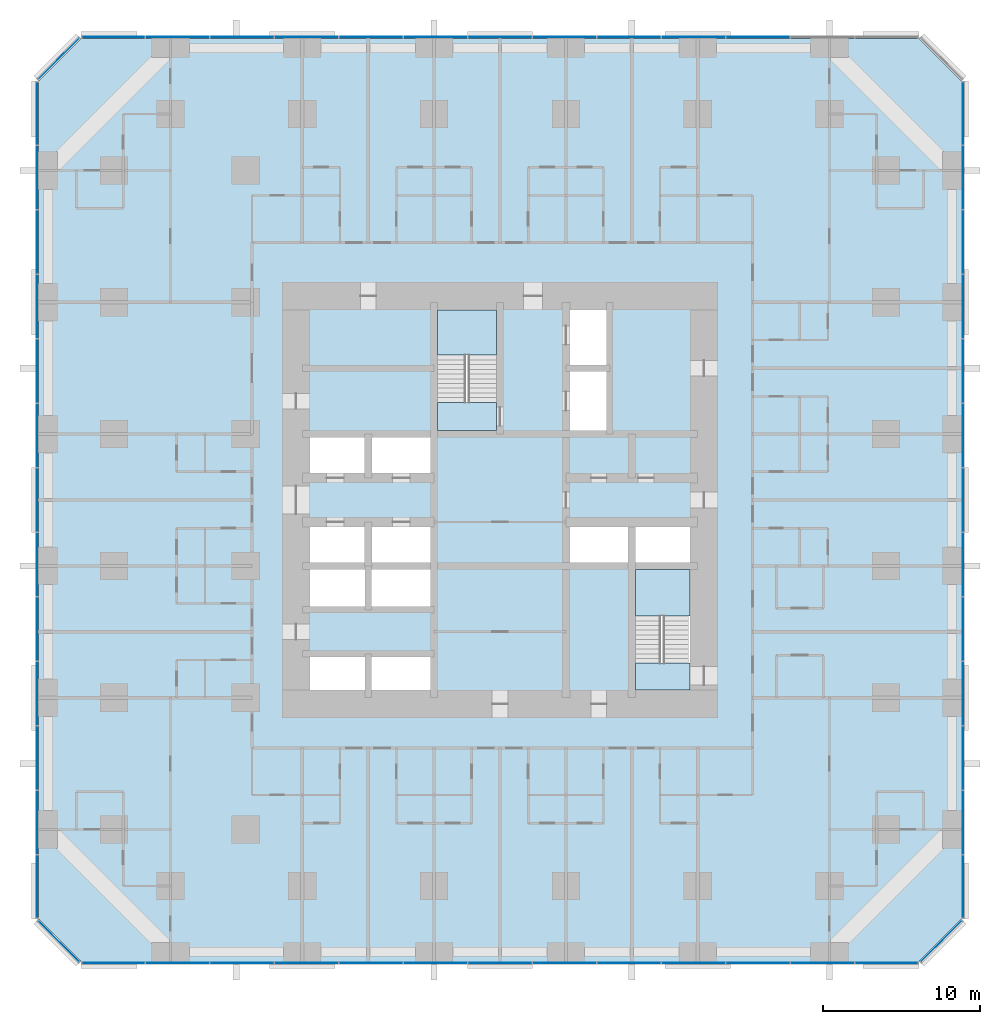
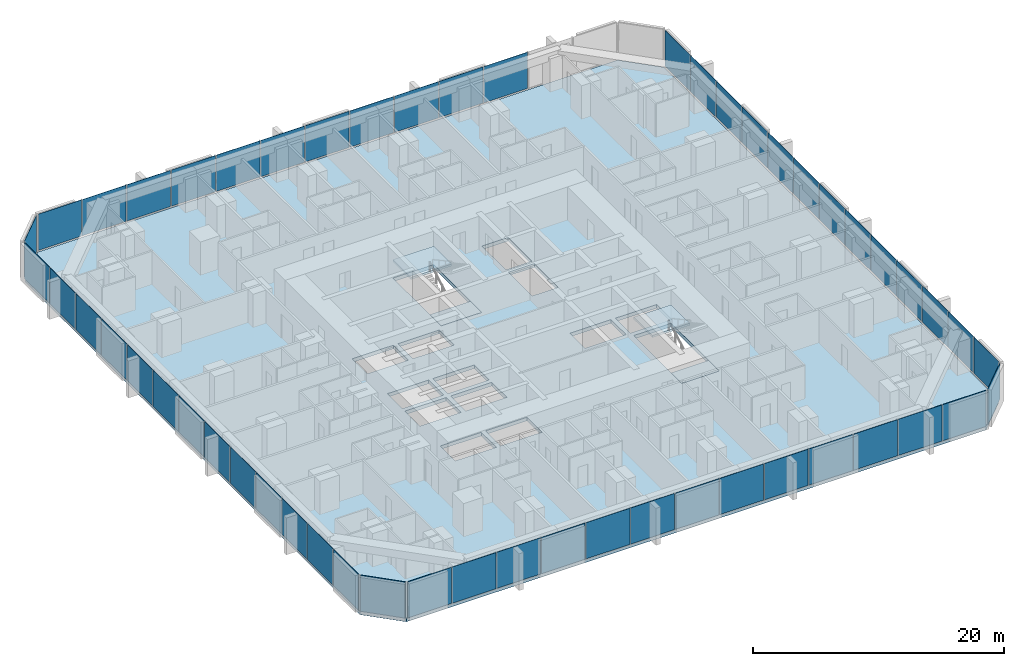
# One storey, part 9 of 18: 53 plates, 5 slabs, 9 elements without a shape of their own.
"""IFC4 building model written with IfcOpenShell, lengths in metres."""

from ifc_helpers import new_model, si_unit, direction, frame, origin, origin_2d, place, context, subcontext, project, spatial, polyline, rectangle, outline, extrude, material, layer, layer_set, type_object, element, aggregate, save


model = new_model("IFC4")

# Units and contexts
model_context = context("Model", 3, precision=1e-05, world=origin(), true_north=direction((0.0, 1.0)))
body_context = subcontext(model_context, "Body", "Model", "MODEL_VIEW")
ifc_project = project(units=[si_unit("LENGTHUNIT", "METRE"), si_unit("AREAUNIT", "SQUARE_METRE"), si_unit("VOLUMEUNIT", "CUBIC_METRE"), si_unit("PLANEANGLEUNIT", "RADIAN"), si_unit("MASSUNIT", "GRAM", prefix="KILO")], contexts=[model_context])

# Site, building, storey
site_placement = place(None, origin())
site = spatial("IfcSite", under=ifc_project, at=site_placement, CompositionType="ELEMENT")
building_placement = place(site_placement, origin())
building = spatial("IfcBuilding", under=site, at=building_placement, Name="Dunama Terrace Hotel", CompositionType="ELEMENT")
storey_placement = place(building_placement, frame((0.0, 0.0, 30.60009765625)))
storey = spatial("IfcBuildingStorey", under=building, at=storey_placement, Name="L06", CompositionType="ELEMENT", Elevation=30.60009765625)

# Curtain wall, plates
ifc_material_1 = material(Name="Aluminium curtain wall system", Category="aluminium")
curtain_wall_type = type_object("IfcCurtainWallType", Name="Unitised fritted glass wall CW-A", PredefinedType="NOTDEFINED", material=ifc_material_1)
curtain_wall_1_placement = place(storey_placement, origin())
curtain_wall_1 = element("IfcCurtainWall", 1, at=curtain_wall_1_placement, inside=storey, type_object=curtain_wall_type, Name="Unitised fritted glass wall CW-A L06", PredefinedType="NOTDEFINED")
ifc_material_2 = material(Name="Laminated glass", Category="glass")
ifc_layer_1 = layer(ifc_material_2, 0.030029296875)
ifc_layer_set_1 = layer_set([ifc_layer_1], Name="CWA clear glass panel")
plate_type_1 = type_object("IfcPlateType", Name="CWA clear glass panel", PredefinedType="CURTAIN_PANEL", material=ifc_layer_set_1)
plate_1_placement = place(storey_placement, frame((8.862060546875, -0.10009765625, 0.074951171875), z_axis=(0.0, 0.0, 1.0), x_axis=(1.0, 0.0, 0.0)))
plate_1 = element("IfcPlate", 2, at=plate_1_placement, type_object=plate_type_1, Name="CWA clear glass panel", PredefinedType="CURTAIN_PANEL", context=body_context, shape_type="SweptSolid", body=[
    extrude(rectangle(XDim=4.042724609375, YDim=0.030029296875, at=origin_2d()), origin(), (0.0, 0.0, 1.0), 3.52490234375),
])
plate_2_placement = place(storey_placement, frame((21.18505859375, -0.10009765625, 0.074951171875), z_axis=(0.0, 0.0, 1.0), x_axis=(1.0, 0.0, 0.0)))
plate_2 = element("IfcPlate", 3, at=plate_2_placement, type_object=plate_type_1, Name="CWA clear glass panel", PredefinedType="CURTAIN_PANEL", context=body_context, shape_type="SweptSolid", body=[
    extrude(rectangle(XDim=4.042724609375, YDim=0.030029296875, at=origin_2d()), origin(), (0.0, 0.0, 1.0), 3.52490234375),
])
plate_3_placement = place(storey_placement, frame((33.508056640625, -0.10009765625, 0.074951171875), z_axis=(0.0, 0.0, 1.0), x_axis=(1.0, 0.0, 0.0)))
plate_3 = element("IfcPlate", 4, at=plate_3_placement, type_object=plate_type_1, Name="CWA clear glass panel", PredefinedType="CURTAIN_PANEL", context=body_context, shape_type="SweptSolid", body=[
    extrude(rectangle(XDim=4.042724609375, YDim=0.030029296875, at=origin_2d()), origin(), (0.0, 0.0, 1.0), 3.52490234375),
])
plate_4_placement = place(storey_placement, frame((45.8310546875, -0.10009765625, 0.074951171875), z_axis=(0.0, 0.0, 1.0), x_axis=(1.0, 0.0, 0.0)))
plate_4 = element("IfcPlate", 5, at=plate_4_placement, type_object=plate_type_1, Name="CWA clear glass panel", PredefinedType="CURTAIN_PANEL", context=body_context, shape_type="SweptSolid", body=[
    extrude(rectangle(XDim=4.042724609375, YDim=0.030029296875, at=origin_2d()), origin(), (0.0, 0.0, 1.0), 3.52490234375),
])

# Curtain wall, plate
curtain_wall_2_placement = place(storey_placement, origin())
curtain_wall_2 = element("IfcCurtainWall", 6, at=curtain_wall_2_placement, inside=storey, type_object=curtain_wall_type, Name="Unitised fritted glass wall CW-A L06", PredefinedType="NOTDEFINED")
plate_5_placement = place(storey_placement, frame((57.52099609375, 1.279052734375, 0.074951171875), z_axis=(0.0, 0.0, 1.0), x_axis=(0.707106781187, 0.707106781187, 0.0)))
plate_5 = element("IfcPlate", 7, at=plate_5_placement, type_object=plate_type_1, Name="CWA clear glass panel", PredefinedType="CURTAIN_PANEL", context=body_context, shape_type="SweptSolid", body=[
    extrude(rectangle(XDim=3.6884765625, YDim=0.030029296875, at=origin_2d()), origin(), (0.0, 0.0, 1.0), 3.52490234375),
])
aggregate(curtain_wall_2, [plate_5])

# Curtain wall, plates
curtain_wall_3_placement = place(storey_placement, origin())
curtain_wall_3 = element("IfcCurtainWall", 8, at=curtain_wall_3_placement, inside=storey, type_object=curtain_wall_type, Name="Unitised fritted glass wall CW-A L06", PredefinedType="NOTDEFINED")
plate_6_placement = place(storey_placement, frame((58.89990234375, 12.968994140625, 0.074951171875), z_axis=(0.0, 0.0, 1.0), x_axis=(0.0, 1.0, 0.0)))
plate_6 = element("IfcPlate", 9, at=plate_6_placement, type_object=plate_type_1, Name="CWA clear glass panel", PredefinedType="CURTAIN_PANEL", context=body_context, shape_type="SweptSolid", body=[
    extrude(rectangle(XDim=4.042724609375, YDim=0.030029296875, at=origin_2d()), origin(), (0.0, 0.0, 1.0), 3.52490234375),
])
plate_7_placement = place(storey_placement, frame((58.89990234375, 25.2919921875, 0.074951171875), z_axis=(0.0, 0.0, 1.0), x_axis=(0.0, 1.0, 0.0)))
plate_7 = element("IfcPlate", 10, at=plate_7_placement, type_object=plate_type_1, Name="CWA clear glass panel", PredefinedType="CURTAIN_PANEL", context=body_context, shape_type="SweptSolid", body=[
    extrude(rectangle(XDim=4.042724609375, YDim=0.030029296875, at=origin_2d()), origin(), (0.0, 0.0, 1.0), 3.52490234375),
])
plate_8_placement = place(storey_placement, frame((58.89990234375, 37.614990234375, 0.074951171875), z_axis=(0.0, 0.0, 1.0), x_axis=(0.0, 1.0, 0.0)))
plate_8 = element("IfcPlate", 11, at=plate_8_placement, type_object=plate_type_1, Name="CWA clear glass panel", PredefinedType="CURTAIN_PANEL", context=body_context, shape_type="SweptSolid", body=[
    extrude(rectangle(XDim=4.042724609375, YDim=0.030029296875, at=origin_2d()), origin(), (0.0, 0.0, 1.0), 3.52490234375),
])
plate_9_placement = place(storey_placement, frame((58.89990234375, 49.93798828125, 0.074951171875), z_axis=(0.0, 0.0, 1.0), x_axis=(0.0, 1.0, 0.0)))
plate_9 = element("IfcPlate", 12, at=plate_9_placement, type_object=plate_type_1, Name="CWA clear glass panel", PredefinedType="CURTAIN_PANEL", context=body_context, shape_type="SweptSolid", body=[
    extrude(rectangle(XDim=4.042724609375, YDim=0.030029296875, at=origin_2d()), origin(), (0.0, 0.0, 1.0), 3.52490234375),
])

curtain_wall_4_placement = place(storey_placement, origin())
curtain_wall_4 = element("IfcCurtainWall", 13, at=curtain_wall_4_placement, inside=storey, type_object=curtain_wall_type, Name="Unitised fritted glass wall CW-A L06", PredefinedType="NOTDEFINED")
plate_10_placement = place(storey_placement, frame((41.722900390625, 58.89990234375, 0.074951171875), z_axis=(0.0, 0.0, 1.0), x_axis=(-1.0, 0.0, 0.0)))
plate_10 = element("IfcPlate", 14, at=plate_10_placement, type_object=plate_type_1, Name="CWA clear glass panel", PredefinedType="CURTAIN_PANEL", context=body_context, shape_type="SweptSolid", body=[
    extrude(rectangle(XDim=4.042724609375, YDim=0.030029296875, at=origin_2d()), origin(), (0.0, 0.0, 1.0), 3.52490234375),
])
plate_11_placement = place(storey_placement, frame((29.39990234375, 58.89990234375, 0.074951171875), z_axis=(0.0, 0.0, 1.0), x_axis=(-1.0, 0.0, 0.0)))
plate_11 = element("IfcPlate", 15, at=plate_11_placement, type_object=plate_type_1, Name="CWA clear glass panel", PredefinedType="CURTAIN_PANEL", context=body_context, shape_type="SweptSolid", body=[
    extrude(rectangle(XDim=4.042724609375, YDim=0.030029296875, at=origin_2d()), origin(), (0.0, 0.0, 1.0), 3.52490234375),
])
plate_12_placement = place(storey_placement, frame((17.076904296875, 58.89990234375, 0.074951171875), z_axis=(0.0, 0.0, 1.0), x_axis=(-1.0, 0.0, 0.0)))
plate_12 = element("IfcPlate", 16, at=plate_12_placement, type_object=plate_type_1, Name="CWA clear glass panel", PredefinedType="CURTAIN_PANEL", context=body_context, shape_type="SweptSolid", body=[
    extrude(rectangle(XDim=4.042724609375, YDim=0.030029296875, at=origin_2d()), origin(), (0.0, 0.0, 1.0), 3.52490234375),
])
plate_13_placement = place(storey_placement, frame((4.77001953125, 58.89990234375, 0.074951171875), z_axis=(0.0, 0.0, 1.0), x_axis=(-1.0, 0.0, 0.0)))
plate_13 = element("IfcPlate", 17, at=plate_13_placement, type_object=plate_type_1, Name="CWA clear glass panel", PredefinedType="CURTAIN_PANEL", context=body_context, shape_type="SweptSolid", body=[
    extrude(rectangle(XDim=4.01025390625, YDim=0.030029296875, at=origin_2d()), origin(), (0.0, 0.0, 1.0), 3.52490234375),
])

curtain_wall_5_placement = place(storey_placement, origin())
curtain_wall_5 = element("IfcCurtainWall", 18, at=curtain_wall_5_placement, inside=storey, type_object=curtain_wall_type, Name="Unitised fritted glass wall CW-A L06", PredefinedType="NOTDEFINED")
plate_14_placement = place(storey_placement, frame((-0.10009765625, 49.93798828125, 0.074951171875), z_axis=(0.0, 0.0, 1.0), x_axis=(0.0, -1.0, 0.0)))
plate_14 = element("IfcPlate", 19, at=plate_14_placement, type_object=plate_type_1, Name="CWA clear glass panel", PredefinedType="CURTAIN_PANEL", context=body_context, shape_type="SweptSolid", body=[
    extrude(rectangle(XDim=4.042724609375, YDim=0.030029296875, at=origin_2d()), origin(), (0.0, 0.0, 1.0), 3.52490234375),
])
plate_15_placement = place(storey_placement, frame((-0.10009765625, 37.614990234375, 0.074951171875), z_axis=(0.0, 0.0, 1.0), x_axis=(0.0, -1.0, 0.0)))
plate_15 = element("IfcPlate", 20, at=plate_15_placement, type_object=plate_type_1, Name="CWA clear glass panel", PredefinedType="CURTAIN_PANEL", context=body_context, shape_type="SweptSolid", body=[
    extrude(rectangle(XDim=4.042724609375, YDim=0.030029296875, at=origin_2d()), origin(), (0.0, 0.0, 1.0), 3.52490234375),
])
plate_16_placement = place(storey_placement, frame((-0.10009765625, 25.2919921875, 0.074951171875), z_axis=(0.0, 0.0, 1.0), x_axis=(0.0, -1.0, 0.0)))
plate_16 = element("IfcPlate", 21, at=plate_16_placement, type_object=plate_type_1, Name="CWA clear glass panel", PredefinedType="CURTAIN_PANEL", context=body_context, shape_type="SweptSolid", body=[
    extrude(rectangle(XDim=4.042724609375, YDim=0.030029296875, at=origin_2d()), origin(), (0.0, 0.0, 1.0), 3.52490234375),
])
plate_17_placement = place(storey_placement, frame((-0.10009765625, 12.968994140625, 0.074951171875), z_axis=(0.0, 0.0, 1.0), x_axis=(0.0, -1.0, 0.0)))
plate_17 = element("IfcPlate", 22, at=plate_17_placement, type_object=plate_type_1, Name="CWA clear glass panel", PredefinedType="CURTAIN_PANEL", context=body_context, shape_type="SweptSolid", body=[
    extrude(rectangle(XDim=4.042724609375, YDim=0.030029296875, at=origin_2d()), origin(), (0.0, 0.0, 1.0), 3.52490234375),
])

# Curtain wall, plate
curtain_wall_6_placement = place(storey_placement, origin())
curtain_wall_6 = element("IfcCurtainWall", 23, at=curtain_wall_6_placement, inside=storey, type_object=curtain_wall_type, Name="Unitised fritted glass wall CW-A L06", PredefinedType="NOTDEFINED")
plate_18_placement = place(storey_placement, frame((1.279052734375, 1.279052734375, 0.074951171875), z_axis=(0.0, 0.0, 1.0), x_axis=(0.707106781187, -0.707106781187, 0.0)))
plate_18 = element("IfcPlate", 24, at=plate_18_placement, type_object=plate_type_1, Name="CWA clear glass panel", PredefinedType="CURTAIN_PANEL", context=body_context, shape_type="SweptSolid", body=[
    extrude(rectangle(XDim=3.6884765625, YDim=0.030029296875, at=origin_2d()), origin(), (0.0, 0.0, 1.0), 3.52490234375),
])
aggregate(curtain_wall_6, [plate_18])

# Plate
ifc_material_3 = material(Name="Fritted laminated glass", Category="glass")
ifc_layer_2 = layer(ifc_material_3, 0.030029296875)
ifc_layer_set_2 = layer_set([ifc_layer_2], Name="CWA fritted glass panel")
plate_type_2 = type_object("IfcPlateType", Name="CWA fritted glass panel", PredefinedType="CURTAIN_PANEL", material=ifc_layer_set_2)
plate_19_placement = place(storey_placement, frame((4.77001953125, -0.10009765625, 0.074951171875), z_axis=(0.0, 0.0, 1.0), x_axis=(1.0, 0.0, 0.0)))
plate_19 = element("IfcPlate", 25, at=plate_19_placement, type_object=plate_type_2, Name="CWA fritted glass panel", PredefinedType="CURTAIN_PANEL", context=body_context, shape_type="SweptSolid", body=[
    extrude(rectangle(XDim=4.01025390625, YDim=0.030029296875, at=origin_2d()), origin(), (0.0, 0.0, 1.0), 3.52490234375),
])

plate_20_placement = place(storey_placement, frame((17.076904296875, -0.10009765625, 0.074951171875), z_axis=(0.0, 0.0, 1.0), x_axis=(1.0, 0.0, 0.0)))
plate_20 = element("IfcPlate", 26, at=plate_20_placement, type_object=plate_type_2, Name="CWA fritted glass panel", PredefinedType="CURTAIN_PANEL", context=body_context, shape_type="SweptSolid", body=[
    extrude(rectangle(XDim=4.042724609375, YDim=0.030029296875, at=origin_2d()), origin(), (0.0, 0.0, 1.0), 3.52490234375),
])

plate_21_placement = place(storey_placement, frame((29.39990234375, -0.10009765625, 0.074951171875), z_axis=(0.0, 0.0, 1.0), x_axis=(1.0, 0.0, 0.0)))
plate_21 = element("IfcPlate", 27, at=plate_21_placement, type_object=plate_type_2, Name="CWA fritted glass panel", PredefinedType="CURTAIN_PANEL", context=body_context, shape_type="SweptSolid", body=[
    extrude(rectangle(XDim=4.042724609375, YDim=0.030029296875, at=origin_2d()), origin(), (0.0, 0.0, 1.0), 3.52490234375),
])

plate_22_placement = place(storey_placement, frame((41.722900390625, -0.10009765625, 0.074951171875), z_axis=(0.0, 0.0, 1.0), x_axis=(1.0, 0.0, 0.0)))
plate_22 = element("IfcPlate", 28, at=plate_22_placement, type_object=plate_type_2, Name="CWA fritted glass panel", PredefinedType="CURTAIN_PANEL", context=body_context, shape_type="SweptSolid", body=[
    extrude(rectangle(XDim=4.042724609375, YDim=0.030029296875, at=origin_2d()), origin(), (0.0, 0.0, 1.0), 3.52490234375),
])

plate_23_placement = place(storey_placement, frame((54.030029296875, -0.10009765625, 0.074951171875), z_axis=(0.0, 0.0, 1.0), x_axis=(1.0, 0.0, 0.0)))
plate_23 = element("IfcPlate", 29, at=plate_23_placement, type_object=plate_type_2, Name="CWA fritted glass panel", PredefinedType="CURTAIN_PANEL", context=body_context, shape_type="SweptSolid", body=[
    extrude(rectangle(XDim=4.01025390625, YDim=0.030029296875, at=origin_2d()), origin(), (0.0, 0.0, 1.0), 3.52490234375),
])

plate_24_placement = place(storey_placement, frame((58.89990234375, 8.862060546875, 0.074951171875), z_axis=(0.0, 0.0, 1.0), x_axis=(0.0, 1.0, 0.0)))
plate_24 = element("IfcPlate", 30, at=plate_24_placement, type_object=plate_type_2, Name="CWA fritted glass panel", PredefinedType="CURTAIN_PANEL", context=body_context, shape_type="SweptSolid", body=[
    extrude(rectangle(XDim=4.042724609375, YDim=0.030029296875, at=origin_2d()), origin(), (0.0, 0.0, 1.0), 3.52490234375),
])

plate_25_placement = place(storey_placement, frame((58.89990234375, 21.18505859375, 0.074951171875), z_axis=(0.0, 0.0, 1.0), x_axis=(0.0, 1.0, 0.0)))
plate_25 = element("IfcPlate", 31, at=plate_25_placement, type_object=plate_type_2, Name="CWA fritted glass panel", PredefinedType="CURTAIN_PANEL", context=body_context, shape_type="SweptSolid", body=[
    extrude(rectangle(XDim=4.042724609375, YDim=0.030029296875, at=origin_2d()), origin(), (0.0, 0.0, 1.0), 3.52490234375),
])

plate_26_placement = place(storey_placement, frame((58.89990234375, 33.508056640625, 0.074951171875), z_axis=(0.0, 0.0, 1.0), x_axis=(0.0, 1.0, 0.0)))
plate_26 = element("IfcPlate", 32, at=plate_26_placement, type_object=plate_type_2, Name="CWA fritted glass panel", PredefinedType="CURTAIN_PANEL", context=body_context, shape_type="SweptSolid", body=[
    extrude(rectangle(XDim=4.042724609375, YDim=0.030029296875, at=origin_2d()), origin(), (0.0, 0.0, 1.0), 3.52490234375),
])

plate_27_placement = place(storey_placement, frame((58.89990234375, 45.8310546875, 0.074951171875), z_axis=(0.0, 0.0, 1.0), x_axis=(0.0, 1.0, 0.0)))
plate_27 = element("IfcPlate", 33, at=plate_27_placement, type_object=plate_type_2, Name="CWA fritted glass panel", PredefinedType="CURTAIN_PANEL", context=body_context, shape_type="SweptSolid", body=[
    extrude(rectangle(XDim=4.042724609375, YDim=0.030029296875, at=origin_2d()), origin(), (0.0, 0.0, 1.0), 3.52490234375),
])

plate_28_placement = place(storey_placement, frame((45.8310546875, 58.89990234375, 0.074951171875), z_axis=(0.0, 0.0, 1.0), x_axis=(-1.0, 0.0, 0.0)))
plate_28 = element("IfcPlate", 34, at=plate_28_placement, type_object=plate_type_2, Name="CWA fritted glass panel", PredefinedType="CURTAIN_PANEL", context=body_context, shape_type="SweptSolid", body=[
    extrude(rectangle(XDim=4.042724609375, YDim=0.030029296875, at=origin_2d()), origin(), (0.0, 0.0, 1.0), 3.52490234375),
])

plate_29_placement = place(storey_placement, frame((33.508056640625, 58.89990234375, 0.074951171875), z_axis=(0.0, 0.0, 1.0), x_axis=(-1.0, 0.0, 0.0)))
plate_29 = element("IfcPlate", 35, at=plate_29_placement, type_object=plate_type_2, Name="CWA fritted glass panel", PredefinedType="CURTAIN_PANEL", context=body_context, shape_type="SweptSolid", body=[
    extrude(rectangle(XDim=4.042724609375, YDim=0.030029296875, at=origin_2d()), origin(), (0.0, 0.0, 1.0), 3.52490234375),
])

plate_30_placement = place(storey_placement, frame((21.18505859375, 58.89990234375, 0.074951171875), z_axis=(0.0, 0.0, 1.0), x_axis=(-1.0, 0.0, 0.0)))
plate_30 = element("IfcPlate", 36, at=plate_30_placement, type_object=plate_type_2, Name="CWA fritted glass panel", PredefinedType="CURTAIN_PANEL", context=body_context, shape_type="SweptSolid", body=[
    extrude(rectangle(XDim=4.042724609375, YDim=0.030029296875, at=origin_2d()), origin(), (0.0, 0.0, 1.0), 3.52490234375),
])

plate_31_placement = place(storey_placement, frame((8.862060546875, 58.89990234375, 0.074951171875), z_axis=(0.0, 0.0, 1.0), x_axis=(-1.0, 0.0, 0.0)))
plate_31 = element("IfcPlate", 37, at=plate_31_placement, type_object=plate_type_2, Name="CWA fritted glass panel", PredefinedType="CURTAIN_PANEL", context=body_context, shape_type="SweptSolid", body=[
    extrude(rectangle(XDim=4.042724609375, YDim=0.030029296875, at=origin_2d()), origin(), (0.0, 0.0, 1.0), 3.52490234375),
])

plate_32_placement = place(storey_placement, frame((-0.10009765625, 54.030029296875, 0.074951171875), z_axis=(0.0, 0.0, 1.0), x_axis=(0.0, -1.0, 0.0)))
plate_32 = element("IfcPlate", 38, at=plate_32_placement, type_object=plate_type_2, Name="CWA fritted glass panel", PredefinedType="CURTAIN_PANEL", context=body_context, shape_type="SweptSolid", body=[
    extrude(rectangle(XDim=4.01025390625, YDim=0.030029296875, at=origin_2d()), origin(), (0.0, 0.0, 1.0), 3.52490234375),
])

plate_33_placement = place(storey_placement, frame((-0.10009765625, 41.722900390625, 0.074951171875), z_axis=(0.0, 0.0, 1.0), x_axis=(0.0, -1.0, 0.0)))
plate_33 = element("IfcPlate", 39, at=plate_33_placement, type_object=plate_type_2, Name="CWA fritted glass panel", PredefinedType="CURTAIN_PANEL", context=body_context, shape_type="SweptSolid", body=[
    extrude(rectangle(XDim=4.042724609375, YDim=0.030029296875, at=origin_2d()), origin(), (0.0, 0.0, 1.0), 3.52490234375),
])

plate_34_placement = place(storey_placement, frame((-0.10009765625, 29.39990234375, 0.074951171875), z_axis=(0.0, 0.0, 1.0), x_axis=(0.0, -1.0, 0.0)))
plate_34 = element("IfcPlate", 40, at=plate_34_placement, type_object=plate_type_2, Name="CWA fritted glass panel", PredefinedType="CURTAIN_PANEL", context=body_context, shape_type="SweptSolid", body=[
    extrude(rectangle(XDim=4.042724609375, YDim=0.030029296875, at=origin_2d()), origin(), (0.0, 0.0, 1.0), 3.52490234375),
])

plate_35_placement = place(storey_placement, frame((-0.10009765625, 17.076904296875, 0.074951171875), z_axis=(0.0, 0.0, 1.0), x_axis=(0.0, -1.0, 0.0)))
plate_35 = element("IfcPlate", 41, at=plate_35_placement, type_object=plate_type_2, Name="CWA fritted glass panel", PredefinedType="CURTAIN_PANEL", context=body_context, shape_type="SweptSolid", body=[
    extrude(rectangle(XDim=4.042724609375, YDim=0.030029296875, at=origin_2d()), origin(), (0.0, 0.0, 1.0), 3.52490234375),
])

plate_36_placement = place(storey_placement, frame((-0.10009765625, 4.77001953125, 0.074951171875), z_axis=(0.0, 0.0, 1.0), x_axis=(0.0, -1.0, 0.0)))
plate_36 = element("IfcPlate", 42, at=plate_36_placement, type_object=plate_type_2, Name="CWA fritted glass panel", PredefinedType="CURTAIN_PANEL", context=body_context, shape_type="SweptSolid", body=[
    extrude(rectangle(XDim=4.01025390625, YDim=0.030029296875, at=origin_2d()), origin(), (0.0, 0.0, 1.0), 3.52490234375),
])

ifc_material_4 = material(Name="Laminated glass", Category="glass")
ifc_layer_3 = layer(ifc_material_4, 0.030029296875)
ifc_layer_set_3 = layer_set([ifc_layer_3], Name="CWA operable glass panel")
plate_type_3 = type_object("IfcPlateType", Name="CWA operable glass panel", PredefinedType="CURTAIN_PANEL", material=ifc_layer_set_3)
plate_37_placement = place(storey_placement, frame((12.968994140625, -0.10009765625, 0.074951171875), z_axis=(0.0, 0.0, 1.0), x_axis=(1.0, 0.0, 0.0)))
plate_37 = element("IfcPlate", 43, at=plate_37_placement, type_object=plate_type_3, Name="CWA operable glass panel", PredefinedType="CURTAIN_PANEL", context=body_context, shape_type="SweptSolid", body=[
    extrude(rectangle(XDim=4.042724609375, YDim=0.030029296875, at=origin_2d()), origin(), (0.0, 0.0, 1.0), 3.52490234375),
])

plate_38_placement = place(storey_placement, frame((25.2919921875, -0.10009765625, 0.074951171875), z_axis=(0.0, 0.0, 1.0), x_axis=(1.0, 0.0, 0.0)))
plate_38 = element("IfcPlate", 44, at=plate_38_placement, type_object=plate_type_3, Name="CWA operable glass panel", PredefinedType="CURTAIN_PANEL", context=body_context, shape_type="SweptSolid", body=[
    extrude(rectangle(XDim=4.042724609375, YDim=0.030029296875, at=origin_2d()), origin(), (0.0, 0.0, 1.0), 3.52490234375),
])

plate_39_placement = place(storey_placement, frame((37.614990234375, -0.10009765625, 0.074951171875), z_axis=(0.0, 0.0, 1.0), x_axis=(1.0, 0.0, 0.0)))
plate_39 = element("IfcPlate", 45, at=plate_39_placement, type_object=plate_type_3, Name="CWA operable glass panel", PredefinedType="CURTAIN_PANEL", context=body_context, shape_type="SweptSolid", body=[
    extrude(rectangle(XDim=4.042724609375, YDim=0.030029296875, at=origin_2d()), origin(), (0.0, 0.0, 1.0), 3.52490234375),
])

plate_40_placement = place(storey_placement, frame((49.93798828125, -0.10009765625, 0.074951171875), z_axis=(0.0, 0.0, 1.0), x_axis=(1.0, 0.0, 0.0)))
plate_40 = element("IfcPlate", 46, at=plate_40_placement, type_object=plate_type_3, Name="CWA operable glass panel", PredefinedType="CURTAIN_PANEL", context=body_context, shape_type="SweptSolid", body=[
    extrude(rectangle(XDim=4.042724609375, YDim=0.030029296875, at=origin_2d()), origin(), (0.0, 0.0, 1.0), 3.52490234375),
])

aggregate(curtain_wall_1, [plate_19, plate_1, plate_37, plate_20, plate_2, plate_38, plate_21, plate_3, plate_39, plate_22, plate_4, plate_40, plate_23])

plate_41_placement = place(storey_placement, frame((58.89990234375, 4.77001953125, 0.074951171875), z_axis=(0.0, 0.0, 1.0), x_axis=(0.0, 1.0, 0.0)))
plate_41 = element("IfcPlate", 47, at=plate_41_placement, type_object=plate_type_3, Name="CWA operable glass panel", PredefinedType="CURTAIN_PANEL", context=body_context, shape_type="SweptSolid", body=[
    extrude(rectangle(XDim=4.01025390625, YDim=0.030029296875, at=origin_2d()), origin(), (0.0, 0.0, 1.0), 3.52490234375),
])

plate_42_placement = place(storey_placement, frame((58.89990234375, 17.076904296875, 0.074951171875), z_axis=(0.0, 0.0, 1.0), x_axis=(0.0, 1.0, 0.0)))
plate_42 = element("IfcPlate", 48, at=plate_42_placement, type_object=plate_type_3, Name="CWA operable glass panel", PredefinedType="CURTAIN_PANEL", context=body_context, shape_type="SweptSolid", body=[
    extrude(rectangle(XDim=4.042724609375, YDim=0.030029296875, at=origin_2d()), origin(), (0.0, 0.0, 1.0), 3.52490234375),
])

plate_43_placement = place(storey_placement, frame((58.89990234375, 29.39990234375, 0.074951171875), z_axis=(0.0, 0.0, 1.0), x_axis=(0.0, 1.0, 0.0)))
plate_43 = element("IfcPlate", 49, at=plate_43_placement, type_object=plate_type_3, Name="CWA operable glass panel", PredefinedType="CURTAIN_PANEL", context=body_context, shape_type="SweptSolid", body=[
    extrude(rectangle(XDim=4.042724609375, YDim=0.030029296875, at=origin_2d()), origin(), (0.0, 0.0, 1.0), 3.52490234375),
])

plate_44_placement = place(storey_placement, frame((58.89990234375, 41.722900390625, 0.074951171875), z_axis=(0.0, 0.0, 1.0), x_axis=(0.0, 1.0, 0.0)))
plate_44 = element("IfcPlate", 50, at=plate_44_placement, type_object=plate_type_3, Name="CWA operable glass panel", PredefinedType="CURTAIN_PANEL", context=body_context, shape_type="SweptSolid", body=[
    extrude(rectangle(XDim=4.042724609375, YDim=0.030029296875, at=origin_2d()), origin(), (0.0, 0.0, 1.0), 3.52490234375),
])

plate_45_placement = place(storey_placement, frame((58.89990234375, 54.030029296875, 0.074951171875), z_axis=(0.0, 0.0, 1.0), x_axis=(0.0, 1.0, 0.0)))
plate_45 = element("IfcPlate", 51, at=plate_45_placement, type_object=plate_type_3, Name="CWA operable glass panel", PredefinedType="CURTAIN_PANEL", context=body_context, shape_type="SweptSolid", body=[
    extrude(rectangle(XDim=4.01025390625, YDim=0.030029296875, at=origin_2d()), origin(), (0.0, 0.0, 1.0), 3.52490234375),
])

aggregate(curtain_wall_3, [plate_41, plate_24, plate_6, plate_42, plate_25, plate_7, plate_43, plate_26, plate_8, plate_44, plate_27, plate_9, plate_45])

plate_46_placement = place(storey_placement, frame((37.614990234375, 58.89990234375, 0.074951171875), z_axis=(0.0, 0.0, 1.0), x_axis=(-1.0, 0.0, 0.0)))
plate_46 = element("IfcPlate", 52, at=plate_46_placement, type_object=plate_type_3, Name="CWA operable glass panel", PredefinedType="CURTAIN_PANEL", context=body_context, shape_type="SweptSolid", body=[
    extrude(rectangle(XDim=4.042724609375, YDim=0.030029296875, at=origin_2d()), origin(), (0.0, 0.0, 1.0), 3.52490234375),
])

plate_47_placement = place(storey_placement, frame((25.2919921875, 58.89990234375, 0.074951171875), z_axis=(0.0, 0.0, 1.0), x_axis=(-1.0, 0.0, 0.0)))
plate_47 = element("IfcPlate", 53, at=plate_47_placement, type_object=plate_type_3, Name="CWA operable glass panel", PredefinedType="CURTAIN_PANEL", context=body_context, shape_type="SweptSolid", body=[
    extrude(rectangle(XDim=4.042724609375, YDim=0.030029296875, at=origin_2d()), origin(), (0.0, 0.0, 1.0), 3.52490234375),
])

plate_48_placement = place(storey_placement, frame((12.968994140625, 58.89990234375, 0.074951171875), z_axis=(0.0, 0.0, 1.0), x_axis=(-1.0, 0.0, 0.0)))
plate_48 = element("IfcPlate", 54, at=plate_48_placement, type_object=plate_type_3, Name="CWA operable glass panel", PredefinedType="CURTAIN_PANEL", context=body_context, shape_type="SweptSolid", body=[
    extrude(rectangle(XDim=4.042724609375, YDim=0.030029296875, at=origin_2d()), origin(), (0.0, 0.0, 1.0), 3.52490234375),
])

aggregate(curtain_wall_4, [plate_28, plate_10, plate_46, plate_29, plate_11, plate_47, plate_30, plate_12, plate_48, plate_31, plate_13])

# Curtain wall, plate
curtain_wall_7_placement = place(storey_placement, origin())
curtain_wall_7 = element("IfcCurtainWall", 55, at=curtain_wall_7_placement, inside=storey, type_object=curtain_wall_type, Name="Unitised fritted glass wall CW-A L06", PredefinedType="NOTDEFINED")
plate_49_placement = place(storey_placement, frame((1.279052734375, 57.52099609375, 0.074951171875), z_axis=(0.0, 0.0, 1.0), x_axis=(-0.707106781187, -0.707106781187, 0.0)))
plate_49 = element("IfcPlate", 56, at=plate_49_placement, type_object=plate_type_3, Name="CWA operable glass panel", PredefinedType="CURTAIN_PANEL", context=body_context, shape_type="SweptSolid", body=[
    extrude(rectangle(XDim=3.6884765625, YDim=0.030029296875, at=origin_2d()), origin(), (0.0, 0.0, 1.0), 3.52490234375),
])
aggregate(curtain_wall_7, [plate_49])

# Plate
plate_50_placement = place(storey_placement, frame((-0.10009765625, 45.8310546875, 0.074951171875), z_axis=(0.0, 0.0, 1.0), x_axis=(0.0, -1.0, 0.0)))
plate_50 = element("IfcPlate", 57, at=plate_50_placement, type_object=plate_type_3, Name="CWA operable glass panel", PredefinedType="CURTAIN_PANEL", context=body_context, shape_type="SweptSolid", body=[
    extrude(rectangle(XDim=4.042724609375, YDim=0.030029296875, at=origin_2d()), origin(), (0.0, 0.0, 1.0), 3.52490234375),
])

plate_51_placement = place(storey_placement, frame((-0.10009765625, 33.508056640625, 0.074951171875), z_axis=(0.0, 0.0, 1.0), x_axis=(0.0, -1.0, 0.0)))
plate_51 = element("IfcPlate", 58, at=plate_51_placement, type_object=plate_type_3, Name="CWA operable glass panel", PredefinedType="CURTAIN_PANEL", context=body_context, shape_type="SweptSolid", body=[
    extrude(rectangle(XDim=4.042724609375, YDim=0.030029296875, at=origin_2d()), origin(), (0.0, 0.0, 1.0), 3.52490234375),
])

plate_52_placement = place(storey_placement, frame((-0.10009765625, 21.18505859375, 0.074951171875), z_axis=(0.0, 0.0, 1.0), x_axis=(0.0, -1.0, 0.0)))
plate_52 = element("IfcPlate", 59, at=plate_52_placement, type_object=plate_type_3, Name="CWA operable glass panel", PredefinedType="CURTAIN_PANEL", context=body_context, shape_type="SweptSolid", body=[
    extrude(rectangle(XDim=4.042724609375, YDim=0.030029296875, at=origin_2d()), origin(), (0.0, 0.0, 1.0), 3.52490234375),
])

plate_53_placement = place(storey_placement, frame((-0.10009765625, 8.862060546875, 0.074951171875), z_axis=(0.0, 0.0, 1.0), x_axis=(0.0, -1.0, 0.0)))
plate_53 = element("IfcPlate", 60, at=plate_53_placement, type_object=plate_type_3, Name="CWA operable glass panel", PredefinedType="CURTAIN_PANEL", context=body_context, shape_type="SweptSolid", body=[
    extrude(rectangle(XDim=4.042724609375, YDim=0.030029296875, at=origin_2d()), origin(), (0.0, 0.0, 1.0), 3.52490234375),
])

aggregate(curtain_wall_5, [plate_32, plate_14, plate_50, plate_33, plate_15, plate_51, plate_34, plate_16, plate_52, plate_35, plate_17, plate_53, plate_36])

# Slab
ifc_material_5 = material(Name="Concrete C40/50", Category="concrete")
ifc_layer_4 = layer(ifc_material_5, 0.35009765625)
ifc_layer_set_4 = layer_set([ifc_layer_4], Name="Flat plate 350")
slab_type_1 = type_object("IfcSlabType", Name="Flat plate 350", PredefinedType="FLOOR", material=ifc_layer_set_4)
slab_1_placement = place(storey_placement, frame((0.0, 0.0, -0.35009765625)))
element("IfcSlab", 61, at=slab_1_placement, inside=storey, type_object=slab_type_1, Name="Floor slab L06", PredefinedType="FLOOR", context=body_context, shape_type="SweptSolid", body=[
    extrude(outline(polyline([(2.699951171875, 0.0), (56.10009765625, 0.0), (58.800048828125, 2.699951171875), (58.800048828125, 56.10009765625), (56.10009765625, 58.800048828125), (2.699951171875, 58.800048828125), (0.0, 56.10009765625), (0.0, 2.699951171875), (2.699951171875, 0.0)]), holes=[polyline([(20.800048828125, 25.39990234375), (20.800048828125, 27.800048828125), (17.0, 27.800048828125), (17.0, 25.39990234375), (20.800048828125, 25.39990234375)]), polyline([(25.0, 25.39990234375), (25.0, 27.800048828125), (21.199951171875, 27.800048828125), (21.199951171875, 25.39990234375), (25.0, 25.39990234375)]), polyline([(20.800048828125, 31.0), (20.800048828125, 33.39990234375), (17.0, 33.39990234375), (17.0, 31.0), (20.800048828125, 31.0)]), polyline([(25.0, 31.0), (25.0, 33.39990234375), (21.199951171875, 33.39990234375), (21.199951171875, 31.0), (25.0, 31.0)]), polyline([(37.60009765625, 25.39990234375), (37.60009765625, 27.800048828125), (33.800048828125, 27.800048828125), (33.800048828125, 25.39990234375), (37.60009765625, 25.39990234375)]), polyline([(41.800048828125, 25.39990234375), (41.800048828125, 27.800048828125), (38.0, 27.800048828125), (38.0, 25.39990234375), (41.800048828125, 25.39990234375)]), polyline([(20.800048828125, 17.0), (20.800048828125, 19.39990234375), (17.0, 19.39990234375), (17.0, 17.0), (20.800048828125, 17.0)]), polyline([(25.0, 17.0), (25.0, 19.39990234375), (21.199951171875, 19.39990234375), (21.199951171875, 17.0), (25.0, 17.0)]), polyline([(20.800048828125, 22.60009765625), (20.800048828125, 25.0), (17.0, 25.0), (17.0, 22.60009765625), (20.800048828125, 22.60009765625)]), polyline([(25.0, 22.60009765625), (25.0, 25.0), (21.199951171875, 25.0), (21.199951171875, 22.60009765625), (25.0, 22.60009765625)]), polyline([(36.199951171875, 38.0), (36.199951171875, 41.800048828125), (33.800048828125, 41.800048828125), (33.800048828125, 38.0), (36.199951171875, 38.0)]), polyline([(36.199951171875, 33.800048828125), (36.199951171875, 37.60009765625), (33.800048828125, 37.60009765625), (33.800048828125, 33.800048828125), (36.199951171875, 33.800048828125)]), polyline([(29.175048828125, 33.824951171875), (29.175048828125, 41.5), (25.425048828125, 41.5), (25.425048828125, 33.824951171875), (29.175048828125, 33.824951171875)]), polyline([(41.5, 17.300048828125), (41.5, 24.97509765625), (38.050048828125, 24.97509765625), (38.050048828125, 17.300048828125), (41.5, 17.300048828125)])]), origin(), (0.0, 0.0, 1.0), 0.35009765625),
])

# Stair, slabs
ifc_material_6 = material(Name="Concrete C40/50", Category="concrete")
stair_type_1 = type_object("IfcStairType", Name="Stair ST1-3600-1800", PredefinedType="HALF_TURN_STAIR", material=ifc_material_6)
stair_1_placement = place(storey_placement, origin())
stair_1 = element("IfcStair", 62, at=stair_1_placement, inside=storey, type_object=stair_type_1, Name="Stair ST1 L06", PredefinedType="HALF_TURN_STAIR")
ifc_material_7 = material(Name="Concrete C40/50", Category="concrete")
ifc_layer_5 = layer(ifc_material_7, 0.199951171875)
ifc_layer_set_5 = layer_set([ifc_layer_5], Name="Stair landing 200")
slab_type_2 = type_object("IfcSlabType", Name="Stair landing 200", PredefinedType="LANDING", material=ifc_layer_set_5)
slab_2_placement = place(storey_placement, frame((0.0, 0.0, -0.2001953125)))
slab_2 = element("IfcSlab", 63, at=slab_2_placement, type_object=slab_type_2, Name="ST1 landing 1, type S10", PredefinedType="LANDING", context=body_context, shape_type="SweptSolid", body=[
    extrude(outline(polyline([(25.425048828125, 33.824951171875), (29.175048828125, 33.824951171875), (29.175048828125, 35.625), (25.425048828125, 35.625), (25.425048828125, 33.824951171875)])), origin(), (0.0, 0.0, 1.0), 0.2001953125),
])
slab_3_placement = place(storey_placement, frame((0.0, 0.0, 1.599853515625)))
slab_3 = element("IfcSlab", 64, at=slab_3_placement, type_object=slab_type_2, Name="ST1 landing 2, type S10", PredefinedType="LANDING", context=body_context, shape_type="SweptSolid", body=[
    extrude(outline(polyline([(25.425048828125, 38.625), (29.175048828125, 38.625), (29.175048828125, 41.5), (25.425048828125, 41.5), (25.425048828125, 38.625)])), origin(), (0.0, 0.0, 1.0), 0.199951171875),
])
aggregate(stair_1, [slab_2, slab_3])

ifc_material_8 = material(Name="Concrete C40/50", Category="concrete")
stair_type_2 = type_object("IfcStairType", Name="Stair ST2-3600-1600", PredefinedType="HALF_TURN_STAIR", material=ifc_material_8)
stair_2_placement = place(storey_placement, origin())
stair_2 = element("IfcStair", 65, at=stair_2_placement, inside=storey, type_object=stair_type_2, Name="Stair ST2 L06", PredefinedType="HALF_TURN_STAIR")
slab_4_placement = place(storey_placement, frame((0.0, 0.0, -0.2001953125)))
slab_4 = element("IfcSlab", 66, at=slab_4_placement, type_object=slab_type_2, Name="ST2 landing 1, type S10", PredefinedType="LANDING", context=body_context, shape_type="SweptSolid", body=[
    extrude(outline(polyline([(38.050048828125, 17.300048828125), (41.5, 17.300048828125), (41.5, 19.0), (38.050048828125, 19.0), (38.050048828125, 17.300048828125)])), origin(), (0.0, 0.0, 1.0), 0.2001953125),
])
slab_5_placement = place(storey_placement, frame((0.0, 0.0, 1.599853515625)))
slab_5 = element("IfcSlab", 67, at=slab_5_placement, type_object=slab_type_2, Name="ST2 landing 2, type S10", PredefinedType="LANDING", context=body_context, shape_type="SweptSolid", body=[
    extrude(outline(polyline([(38.050048828125, 22.0), (41.5, 22.0), (41.5, 24.97509765625), (38.050048828125, 24.97509765625), (38.050048828125, 22.0)])), origin(), (0.0, 0.0, 1.0), 0.199951171875),
])
aggregate(stair_2, [slab_4, slab_5])

save(model, "model.ifc")
